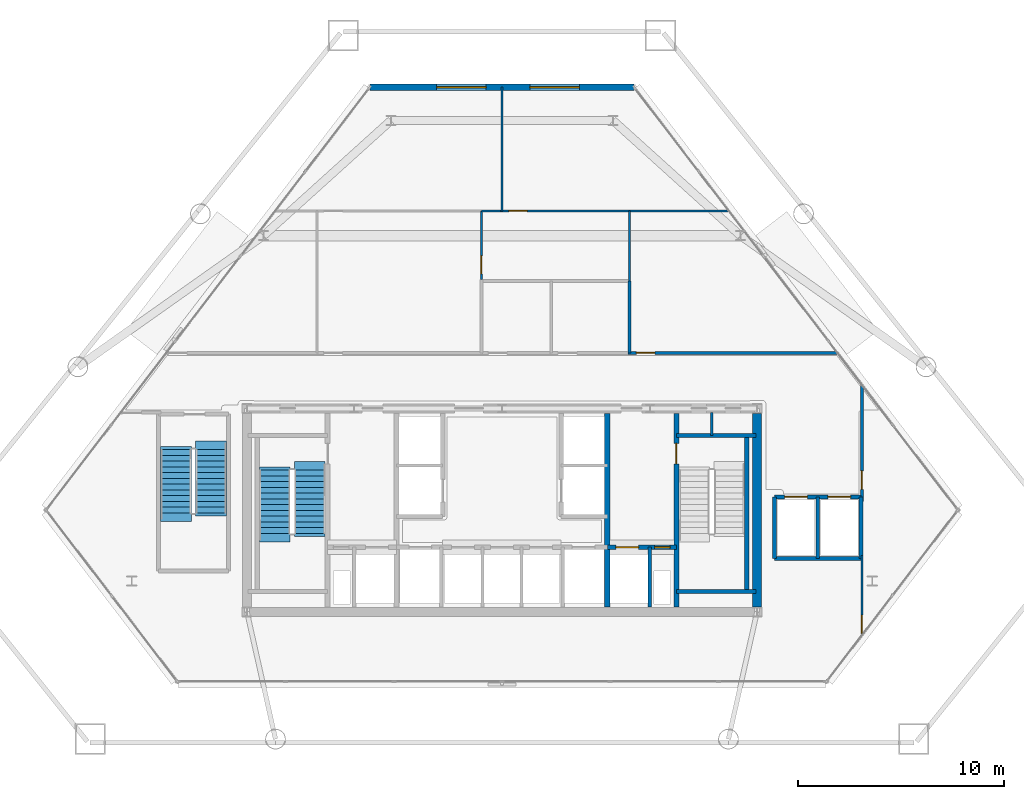
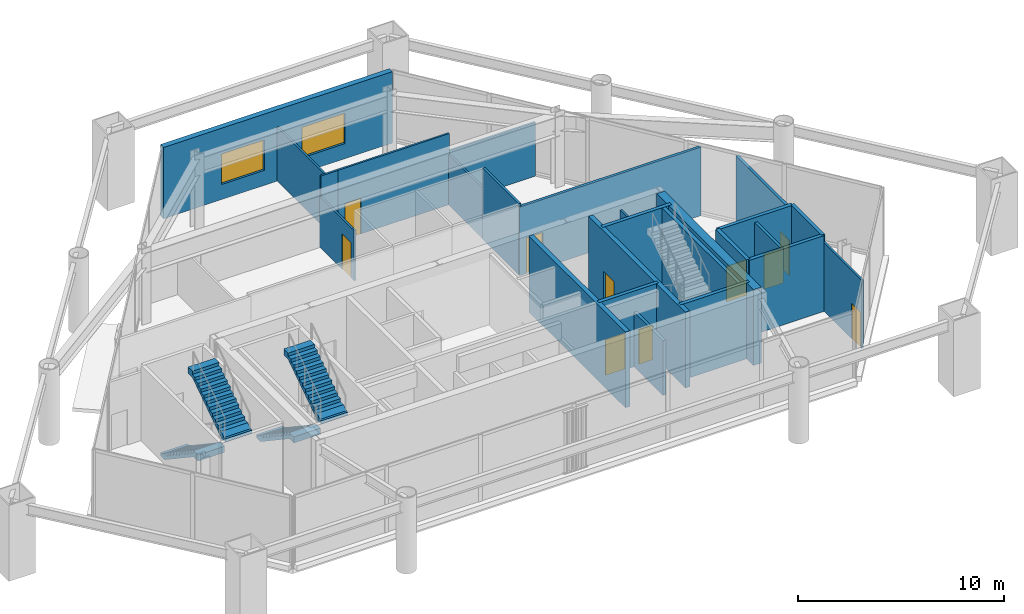
# One storey, part 8 of 11: 25 walls, 10 doors, 4 stair flights, 2 windows, 12 openings, 2 elements without a shape of their own.
"""IFC4 building model written with IfcOpenShell, lengths in metres."""

import ifcopenshell
import ifcopenshell.guid

model = None  # the IFC model being written
_history = None  # IfcOwnerHistory: only IFC2X3 demands one
_inside = {}  # id of a spatial element -> (the spatial element, [elements in it])
_under = {}  # id of a project, library or spatial element -> (it, [spatial elements below it])
_declared = {}  # id of a project -> (the project, [libraries it declares])
_typed = {}  # id of a type object -> (the type object, [elements of that type])
_made_of = {}  # id of a material, layer set ... -> (it, [elements and type objects made of it])


def new_model(schema):
    """Start an empty IFC model of exactly this schema.

    Asked for "IFC4X3", IfcOpenShell would pick the latest addendum, in which some entities
    have other attributes; the version numbers below select the first issue.
    IFC2X3 requires an IfcOwnerHistory on every rooted entity: one is made here for all.
    """
    global model, _history
    if schema == "IFC4X3":
        model = ifcopenshell.file(schema_version=(4, 3, 0, 0))
    else:
        model = ifcopenshell.file(schema=schema)
    _inside.clear()
    _under.clear()
    _declared.clear()
    _typed.clear()
    _made_of.clear()
    _history = None
    if model.schema == "IFC2X3":
        org = make("IfcOrganization", Name="unknown")
        user = make(
            "IfcPersonAndOrganization",
            ThePerson=make("IfcPerson", FamilyName="unknown"),
            TheOrganization=org,
        )
        app = make(
            "IfcApplication",
            ApplicationDeveloper=org,
            Version="unknown",
            ApplicationFullName="unknown",
            ApplicationIdentifier="unknown",
        )
        _history = make(
            "IfcOwnerHistory",
            OwningUser=user,
            OwningApplication=app,
            ChangeAction="ADDED",
            CreationDate=0,
        )
    return model


def make(cls, **values):
    """One entity of the class cls with the attributes given. An attribute that is None is left unset."""
    return model.create_entity(
        cls, **{name: value for name, value in values.items() if value is not None}
    )


def rooted(cls, **values):
    """An entity with a GlobalId (a new one), such as an element, a storey or a relation."""
    return make(cls, GlobalId=ifcopenshell.guid.new(), OwnerHistory=_history, **values)


def si_unit(unit_type, name, prefix=None):
    """IfcSIUnit, for example si_unit("LENGTHUNIT", "METRE", prefix="MILLI")."""
    return make("IfcSIUnit", UnitType=unit_type, Prefix=prefix, Name=name)


def assignment(units):
    """IfcUnitAssignment: the units of a project."""
    return None if units is None else make("IfcUnitAssignment", Units=units)


def point(xyz):
    """IfcCartesianPoint."""
    return None if xyz is None else make("IfcCartesianPoint", Coordinates=xyz)


def direction(xyz):
    """IfcDirection."""
    return None if xyz is None else make("IfcDirection", DirectionRatios=xyz)


def frame(location, z_axis=None, x_axis=None):
    """IfcAxis2Placement3D, a coordinate frame: its origin and axes. An axis left out is left unset."""
    return make(
        "IfcAxis2Placement3D",
        Location=point(location),
        Axis=direction(z_axis),
        RefDirection=direction(x_axis),
    )


def frame_2d(location, x_axis=None):
    """IfcAxis2Placement2D, a coordinate frame in the plane: its origin and x axis."""
    return make(
        "IfcAxis2Placement2D", Location=point(location), RefDirection=direction(x_axis)
    )


def origin():
    """The frame at (0, 0, 0) with its axes left unset."""
    return frame((0.0, 0.0, 0.0))


def place(relative_to, where):
    """IfcLocalPlacement: puts the frame where relative to a parent placement (None: the world)."""
    return make(
        "IfcLocalPlacement", PlacementRelTo=relative_to, RelativePlacement=where
    )


def context(
    kind, dimensions, precision=None, world=None, true_north=None, identifier=None
):
    """IfcGeometricRepresentationContext, for example the 3D "Model" context."""
    return make(
        "IfcGeometricRepresentationContext",
        ContextIdentifier=identifier,
        ContextType=kind,
        CoordinateSpaceDimension=dimensions,
        Precision=precision,
        WorldCoordinateSystem=world,
        TrueNorth=true_north,
    )


def subcontext(parent, identifier, kind, view, scale=None):
    """IfcGeometricRepresentationSubContext, for example "Body" below "Model"."""
    return make(
        "IfcGeometricRepresentationSubContext",
        ContextIdentifier=identifier,
        ContextType=kind,
        ParentContext=parent,
        TargetScale=scale,
        TargetView=view,
    )


def project(units=None, contexts=None):
    """IfcProject with its units and contexts."""
    return rooted(
        "IfcProject",
        Name="project",
        RepresentationContexts=contexts,
        UnitsInContext=assignment(units),
    )


def spatial(cls, under=None, at=None, **own):
    """A site, building, storey or space (cls), placed at a placement, below another one or the project."""
    s = rooted(cls, ObjectPlacement=at, **own)
    if under is not None:
        _under.setdefault(under.id(), (under, []))[1].append(s)
    return s


def polyline(points):
    """IfcPolyline through the points."""
    return make("IfcPolyline", Points=[point(p) for p in points])


def profile(cls, at=None, kind="AREA", **sizes):
    """A parametric profile (cls). Its sizes go by their IFC names, for example OverallWidth=200.0."""
    return make(cls, ProfileType=kind, Position=at, **sizes)


def rectangle(**sizes):
    """IfcRectangleProfileDef."""
    return profile("IfcRectangleProfileDef", **sizes)


def outline(outer, holes=None, kind="AREA"):
    """IfcArbitraryClosedProfileDef: a profile drawn as a closed curve; with holes, ...WithVoids."""
    if holes is None:
        return make("IfcArbitraryClosedProfileDef", ProfileType=kind, OuterCurve=outer)
    return make(
        "IfcArbitraryProfileDefWithVoids",
        ProfileType=kind,
        OuterCurve=outer,
        InnerCurves=holes,
    )


def extrude(swept, where, along, depth):
    """IfcExtrudedAreaSolid: the profile swept, set in the frame where, extruded along a direction by depth."""
    return make(
        "IfcExtrudedAreaSolid",
        SweptArea=swept,
        Position=where,
        ExtrudedDirection=direction(along),
        Depth=depth,
    )


def shape(context_of_items, identifier, shape_type, items):
    """IfcShapeRepresentation: the items that make up one representation, for example the "Body"."""
    return make(
        "IfcShapeRepresentation",
        ContextOfItems=context_of_items,
        RepresentationIdentifier=identifier,
        RepresentationType=shape_type,
        Items=items,
    )


def material(Name=None, Category=None):
    """IfcMaterial."""
    return make("IfcMaterial", Name=Name, Category=Category)


def layer(
    of_material, thickness, ventilated=None, Name=None, Category=None, Priority=None
):
    """IfcMaterialLayer: one layer of a wall or slab, of a material (None: an air gap)."""
    return make(
        "IfcMaterialLayer",
        Material=of_material,
        LayerThickness=thickness,
        IsVentilated=ventilated,
        Name=Name,
        Category=Category,
        Priority=Priority,
    )


def layer_set(layers, Name=None):
    """IfcMaterialLayerSet."""
    return make("IfcMaterialLayerSet", MaterialLayers=layers, LayerSetName=Name)


def made_of(thing, what):
    """Note that an element or type object is made of a material, layer set ...; save() writes the relation."""
    if what is not None:
        _made_of.setdefault(what.id(), (what, []))[1].append(thing)
    return thing


def type_object(cls, material=None, **own):
    """A type object (cls), such as IfcWallType, which elements share."""
    return made_of(rooted(cls, **own), material)


def element(
    cls,
    number,
    at=None,
    inside=None,
    cuts=None,
    type_object=None,
    material=None,
    context=None,
    identifier="Body",
    shape_type=None,
    held_by="IfcProductDefinitionShape",
    body=None,
    shapes=None,
    **own,
):
    """One element of the class cls, such as IfcWall. Its Tag is "e" and its number.

    at: its placement. inside: the storey or other place that contains it. cuts: it is an
    opening in that element (IfcRelVoidsElement). A single representation is given by context,
    identifier, shape_type and body (its items); several are given by shapes. held_by: the class
    of the entity that holds the representations. save() writes the other relations.
    """
    e = rooted(cls, Tag="e%d" % number, ObjectPlacement=at, **own)
    if body is not None:
        shapes = [shape(context, identifier, shape_type, body)]
    if shapes is not None:
        e.Representation = make(held_by, Representations=shapes)
    if inside is not None:
        _inside.setdefault(inside.id(), (inside, []))[1].append(e)
    if cuts is not None:
        rooted(
            "IfcRelVoidsElement", RelatingBuildingElement=cuts, RelatedOpeningElement=e
        )
    if type_object is not None:
        _typed.setdefault(type_object.id(), (type_object, []))[1].append(e)
    return made_of(e, material)


def fill(opening, filler):
    """IfcRelFillsElement: the door or window that sits in an opening."""
    return rooted(
        "IfcRelFillsElement",
        RelatingOpeningElement=opening,
        RelatedBuildingElement=filler,
    )


def aggregate(whole, parts):
    """IfcRelAggregates: a whole, such as a stair, and the parts it consists of."""
    return rooted("IfcRelAggregates", RelatingObject=whole, RelatedObjects=parts)


def save(model, path):
    """Write the relations noted so far, then the file.

    IfcRelAggregates (storeys below a building ...), IfcRelContainedInSpatialStructure (elements
    in a storey), IfcRelDefinesByType, IfcRelAssociatesMaterial and IfcRelDeclares: one each for
    every whole, place, type object, material and project.
    """
    for whole, parts in _under.values():
        aggregate(whole, parts)
    for where, things in _inside.values():
        rooted(
            "IfcRelContainedInSpatialStructure",
            RelatedElements=things,
            RelatingStructure=where,
        )
    for kind, things in _typed.values():
        rooted("IfcRelDefinesByType", RelatedObjects=things, RelatingType=kind)
    for what, things in _made_of.values():
        rooted("IfcRelAssociatesMaterial", RelatedObjects=things, RelatingMaterial=what)
    for by, libraries in _declared.values():
        rooted("IfcRelDeclares", RelatingContext=by, RelatedDefinitions=libraries)
    model.write(path)


model = new_model("IFC4")

# Units and contexts
model_context = context("Model", 3, precision=1e-05, world=origin(), true_north=direction((0.0, 1.0)))
body_context = subcontext(model_context, "Body", "Model", "MODEL_VIEW")
ifc_project = project(units=[si_unit("LENGTHUNIT", "METRE"), si_unit("AREAUNIT", "SQUARE_METRE"), si_unit("VOLUMEUNIT", "CUBIC_METRE"), si_unit("PLANEANGLEUNIT", "RADIAN"), si_unit("MASSUNIT", "GRAM", prefix="KILO")], contexts=[model_context])

# Site, building, storey
site_placement = place(None, origin())
site = spatial("IfcSite", under=ifc_project, at=site_placement, CompositionType="ELEMENT")
building_placement = place(site_placement, origin())
building = spatial("IfcBuilding", under=site, at=building_placement, Name="Talgorran Terracotta Tower", CompositionType="ELEMENT")
storey_placement = place(building_placement, frame((0.0, 0.0, 5.39990234375)))
storey = spatial("IfcBuildingStorey", under=building, at=storey_placement, Name="L01", CompositionType="ELEMENT", Elevation=5.39990234375)

# Walls
ifc_material_1 = material(Name="Concrete C50/60", Category="concrete")
ifc_layer_1 = layer(ifc_material_1, 0.199951171875, Name="WT_CORE_200")
ifc_layer_set_1 = layer_set([ifc_layer_1], Name="Concrete C50/60")
wall_type_1 = type_object("IfcWallType", Name="WT_CORE_200", PredefinedType="SOLIDWALL", material=ifc_layer_set_1)
for number, where, z_axis, x_axis, name in (
    (1, (8.47998046875, -5.52001953125, 0.0), (0.0, 0.0, 1.0), (1.0, 0.0, 0.0), "WL-L01-CW-ST2-N"),
    (2, (8.47998046875, -13.10009765625, 0.0), (0.0, 0.0, 1.0), (1.0, 0.0, 0.0), "WL-L01-CW-ST2-S"),
):
    element("IfcWall", number, at=place(storey_placement, frame(where, z_axis=z_axis, x_axis=x_axis)), inside=storey, type_object=wall_type_1, Name=name, PredefinedType="SOLIDWALL", context=body_context, shape_type="SweptSolid", body=[
        extrude(rectangle(XDim=3.8701171875, YDim=0.199951171875, at=frame_2d((1.93505859375, 0.0))), origin(), (0.0, 0.0, 1.0), 4.5),
    ])
wall_1_placement = place(storey_placement, frame((11.89990234375, -13.10009765625, 0.0), z_axis=(0.0, 0.0, 1.0), x_axis=(0.0, 1.0, 0.0)))
element("IfcWall", 3, at=wall_1_placement, inside=storey, type_object=wall_type_1, Name="WL-L01-CW-ST2-E", PredefinedType="SOLIDWALL", context=body_context, shape_type="SweptSolid", body=[
    extrude(rectangle(XDim=7.580078125, YDim=0.199951171875, at=frame_2d((3.7900390625, 0.0))), origin(), (0.0, 0.0, 1.0), 4.5),
])

# Wall, openings, doors
wall_2_placement = place(storey_placement, frame((5.1201171875, -10.949951171875, 0.0), z_axis=(0.0, 0.0, 1.0), x_axis=(1.0, 0.0, 0.0)))
wall_2 = element("IfcWall", 4, at=wall_2_placement, inside=storey, type_object=wall_type_1, Name="WL-L01-CW-H-SBE", PredefinedType="SOLIDWALL", context=body_context, shape_type="SweptSolid", body=[
    extrude(rectangle(XDim=3.35986328125, YDim=0.199951171875, at=frame_2d((1.679931640625, 0.0))), origin(), (0.0, 0.0, 1.0), 4.5),
])
opening_1_placement = place(wall_2_placement, frame((0.419921875, 0.0, 0.0)))
opening_1 = element("IfcOpeningElement", 5, at=opening_1_placement, cuts=wall_2, Name="Opening LD-FFL2", PredefinedType="OPENING", context=body_context, shape_type="SweptSolid", body=[
    extrude(rectangle(XDim=1.10609765625, YDim=2.10409765625, at=frame_2d((0.550048828125, 1.052001953125))), frame((0.0, 0.10986328125, 0.0), z_axis=(0.0, -1.0, 0.0), x_axis=(1.0, 0.0, 0.0)), (0.0, 0.0, 1.0), 0.219970703125),
])
opening_2_placement = place(wall_2_placement, frame((2.300048828125, 0.0, 0.0)))
opening_2 = element("IfcOpeningElement", 6, at=opening_2_placement, cuts=wall_2, Name="Opening DR-RSE", PredefinedType="OPENING", context=body_context, shape_type="SweptSolid", body=[
    extrude(rectangle(XDim=0.756, YDim=2.054048828125, at=frame_2d((0.375, 1.027099609375))), frame((0.0, 0.10986328125, 0.0), z_axis=(0.0, -1.0, 0.0), x_axis=(1.0, 0.0, 0.0)), (0.0, 0.0, 1.0), 0.219970703125),
])
ifc_material_2 = material(Name="Brushed Stainless Steel Grade 304", Category="steel")
door_type_1 = type_object("IfcDoorType", Name="DT_LIFT_LD1100", OperationType="DOUBLE_DOOR_SLIDING", PredefinedType="DOOR", material=ifc_material_2)
door_1_placement = place(opening_1_placement, origin())
door_1 = element("IfcDoor", 7, at=door_1_placement, inside=storey, type_object=door_type_1, Name="L01 Lift Landing Door LD-FFL2", OperationType="DOUBLE_DOOR_SLIDING", OverallHeight=2.10009765625, OverallWidth=1.10009765625, PredefinedType="DOOR", context=body_context, shape_type="SweptSolid", body=[
    extrude(rectangle(XDim=1.10009765625, YDim=2.10009765625, at=frame_2d((0.550048828125, 1.050048828125))), frame((0.0, 0.02490234375, 0.0), z_axis=(0.0, -1.0, 0.0), x_axis=(1.0, 0.0, 0.0)), (0.0, 0.0, 1.0), 0.050048828125),
])
fill(opening_1, door_1)
ifc_material_3 = material(Name="Fire-Rated Pressed Steel", Category="steel")
door_type_2 = type_object("IfcDoorType", Name="DT_RISER_750", OperationType="NOTDEFINED", PredefinedType="DOOR", material=ifc_material_3)
door_2_placement = place(opening_2_placement, origin())
door_2 = element("IfcDoor", 8, at=door_2_placement, inside=storey, type_object=door_type_2, Name="DR-RSE", OperationType="SINGLE_SWING_RIGHT", OverallHeight=2.050048828125, OverallWidth=0.75, PredefinedType="DOOR", context=body_context, shape_type="SweptSolid", body=[
    extrude(rectangle(XDim=0.75, YDim=2.050048828125, at=frame_2d((0.375, 1.02490234375))), frame((0.0, 0.02490234375, 0.0), z_axis=(0.0, -1.0, 0.0), x_axis=(1.0, 0.0, 0.0)), (0.0, 0.0, 1.0), 0.050048828125),
])
fill(opening_2, door_2)

# Wall
wall_3_placement = place(storey_placement, frame((13.25, -11.5, 0.0), z_axis=(0.0, 0.0, 1.0), x_axis=(1.0, 0.0, 0.0)))
element("IfcWall", 9, at=wall_3_placement, inside=storey, type_object=wall_type_1, Name="WL-L01-PW-HL-S", PredefinedType="SOLIDWALL", context=body_context, shape_type="SweptSolid", body=[
    extrude(rectangle(XDim=4.199951171875, YDim=0.199951171875, at=frame_2d((2.10009765625, 0.0))), origin(), (0.0, 0.0, 1.0), 4.5),
])

# Wall, openings, doors
wall_4_placement = place(storey_placement, frame((13.25, -8.5, 0.0), z_axis=(0.0, 0.0, 1.0), x_axis=(1.0, 0.0, 0.0)))
wall_4 = element("IfcWall", 10, at=wall_4_placement, inside=storey, type_object=wall_type_1, Name="WL-L01-PW-HL-N", PredefinedType="SOLIDWALL", context=body_context, shape_type="SweptSolid", body=[
    extrude(rectangle(XDim=4.199951171875, YDim=0.199951171875, at=frame_2d((2.10009765625, 0.0))), origin(), (0.0, 0.0, 1.0), 4.5),
])
opening_3_placement = place(wall_4_placement, frame((0.5, 0.0, 0.0)))
opening_3 = element("IfcOpeningElement", 11, at=opening_3_placement, cuts=wall_4, Name="Opening LD-HL1", PredefinedType="OPENING", context=body_context, shape_type="SweptSolid", body=[
    extrude(rectangle(XDim=1.10609765625, YDim=2.10409765625, at=frame_2d((0.550048828125, 1.052001953125))), frame((0.0, 0.10986328125, 0.0), z_axis=(0.0, -1.0, 0.0), x_axis=(1.0, 0.0, 0.0)), (0.0, 0.0, 1.0), 0.219970703125),
])
opening_4_placement = place(wall_4_placement, frame((2.60009765625, 0.0, 0.0)))
opening_4 = element("IfcOpeningElement", 12, at=opening_4_placement, cuts=wall_4, Name="Opening LD-HL2", PredefinedType="OPENING", context=body_context, shape_type="SweptSolid", body=[
    extrude(rectangle(XDim=1.10609765625, YDim=2.10409765625, at=frame_2d((0.550048828125, 1.052001953125))), frame((0.0, 0.10986328125, 0.0), z_axis=(0.0, -1.0, 0.0), x_axis=(1.0, 0.0, 0.0)), (0.0, 0.0, 1.0), 0.219970703125),
])
door_3_placement = place(opening_3_placement, origin())
door_3 = element("IfcDoor", 13, at=door_3_placement, inside=storey, type_object=door_type_1, Name="L01 Lift Landing Door LD-HL1", OperationType="DOUBLE_DOOR_SLIDING", OverallHeight=2.10009765625, OverallWidth=1.10009765625, PredefinedType="DOOR", context=body_context, shape_type="SweptSolid", body=[
    extrude(rectangle(XDim=1.10009765625, YDim=2.10009765625, at=frame_2d((0.550048828125, 1.050048828125))), frame((0.0, 0.02490234375, 0.0), z_axis=(0.0, -1.0, 0.0), x_axis=(1.0, 0.0, 0.0)), (0.0, 0.0, 1.0), 0.050048828125),
])
fill(opening_3, door_3)
door_4_placement = place(opening_4_placement, origin())
door_4 = element("IfcDoor", 14, at=door_4_placement, inside=storey, type_object=door_type_1, Name="L01 Lift Landing Door LD-HL2", OperationType="DOUBLE_DOOR_SLIDING", OverallHeight=2.10009765625, OverallWidth=1.10009765625, PredefinedType="DOOR", context=body_context, shape_type="SweptSolid", body=[
    extrude(rectangle(XDim=1.10009765625, YDim=2.10009765625, at=frame_2d((0.550048828125, 1.050048828125))), frame((0.0, 0.02490234375, 0.0), z_axis=(0.0, -1.0, 0.0), x_axis=(1.0, 0.0, 0.0)), (0.0, 0.0, 1.0), 0.050048828125),
])
fill(opening_4, door_4)

# Walls
for number, where, z_axis, x_axis, name in (
    (15, (13.25, -11.5, 0.0), (0.0, 0.0, 1.0), (0.0, 1.0, 0.0), "WL-L01-PW-HL-W"),
    (16, (17.449951171875, -11.5, 0.0), (0.0, 0.0, 1.0), (0.0, 1.0, 0.0), "WL-L01-PW-HL-E"),
):
    element("IfcWall", number, at=place(storey_placement, frame(where, z_axis=z_axis, x_axis=x_axis)), inside=storey, type_object=wall_type_1, Name=name, PredefinedType="SOLIDWALL", context=body_context, shape_type="SweptSolid", body=[
        extrude(rectangle(XDim=3.0, YDim=0.199951171875, at=frame_2d((1.5, 0.0))), origin(), (0.0, 0.0, 1.0), 4.5),
    ])

# Wall, opening, door
ifc_layer_2 = layer(ifc_material_1, 0.25, Name="WT_CORE_250")
ifc_layer_set_2 = layer_set([ifc_layer_2], Name="Concrete C50/60")
wall_type_2 = type_object("IfcWallType", Name="WT_CORE_250", PredefinedType="SHEAR", material=ifc_layer_set_2)
wall_5_placement = place(storey_placement, frame((8.47998046875, -13.85009765625, 0.0), z_axis=(0.0, 0.0, 1.0), x_axis=(0.0, 1.0, 0.0)))
wall_5 = element("IfcWall", 17, at=wall_5_placement, inside=storey, type_object=wall_type_2, Name="WL-L01-CW-V-E1", PredefinedType="SHEAR", context=body_context, shape_type="SweptSolid", body=[
    extrude(rectangle(XDim=9.400146484375, YDim=0.25, at=frame_2d((4.7001953125, 0.0))), origin(), (0.0, 0.0, 1.0), 4.5),
])
opening_5_placement = place(wall_5_placement, frame((6.949951171875, 0.0, 0.0)))
opening_5 = element("IfcOpeningElement", 18, at=opening_5_placement, cuts=wall_5, Name="Opening DR-ST02", PredefinedType="OPENING", context=body_context, shape_type="SweptSolid", body=[
    extrude(rectangle(XDim=1.006, YDim=2.10409765625, at=frame_2d((0.5, 1.052001953125))), frame((0.0, 0.135009765625, 0.0), z_axis=(0.0, -1.0, 0.0), x_axis=(1.0, 0.0, 0.0)), (0.0, 0.0, 1.0), 0.27001953125),
])
door_type_3 = type_object("IfcDoorType", Name="DT_FIRE_1000", OperationType="NOTDEFINED", PredefinedType="DOOR", material=ifc_material_3)
door_5_placement = place(opening_5_placement, origin())
door_5 = element("IfcDoor", 19, at=door_5_placement, inside=storey, type_object=door_type_3, Name="DR-ST02", OperationType="SINGLE_SWING_RIGHT", OverallHeight=2.10009765625, OverallWidth=1.0, PredefinedType="DOOR", context=body_context, shape_type="SweptSolid", body=[
    extrude(rectangle(XDim=1.0, YDim=2.10009765625, at=frame_2d((0.5, 1.050048828125))), frame((0.0, 0.02490234375, 0.0), z_axis=(0.0, -1.0, 0.0), x_axis=(1.0, 0.0, 0.0)), (0.0, 0.0, 1.0), 0.050048828125),
])
fill(opening_5, door_5)

# Walls
wall_6_placement = place(storey_placement, frame((5.1201171875, -13.85009765625, 0.0), z_axis=(0.0, 0.0, 1.0), x_axis=(0.0, 1.0, 0.0)))
element("IfcWall", 20, at=wall_6_placement, inside=storey, type_object=wall_type_2, Name="WL-L01-CW-V-E2", PredefinedType="SHEAR", context=body_context, shape_type="SweptSolid", body=[
    extrude(rectangle(XDim=9.400146484375, YDim=0.25, at=frame_2d((4.7001953125, 0.0))), origin(), (0.0, 0.0, 1.0), 4.5),
])
ifc_material_4 = material(Name="Concrete C65/80", Category="concrete")
ifc_layer_3 = layer(ifc_material_4, 0.449951171875, Name="WT_CORE_EXT")
ifc_layer_set_3 = layer_set([ifc_layer_3], Name="Concrete C65/80")
wall_type_3 = type_object("IfcWallType", Name="WT_CORE_EXT", PredefinedType="SHEAR", material=ifc_layer_set_3)
wall_7_placement = place(storey_placement, frame((12.39990234375, -13.85009765625, 0.0), z_axis=(0.0, 0.0, 1.0), x_axis=(0.0, 1.0, 0.0)))
element("IfcWall", 21, at=wall_7_placement, inside=storey, type_object=wall_type_3, Name="WL-L01-CW-OUT-E", PredefinedType="SHEAR", context=body_context, shape_type="SweptSolid", body=[
    extrude(rectangle(XDim=9.400146484375, YDim=0.449951171875, at=frame_2d((4.7001953125, 0.0))), origin(), (0.0, 0.0, 1.0), 4.5),
])

# Wall, opening, door
ifc_material_5 = material(Name="Fire-Rated Steel Stud Plasterboard", Category="steel")
ifc_layer_4 = layer(ifc_material_5, 0.14990234375, Name="WT_FIRE_150")
ifc_layer_set_4 = layer_set([ifc_layer_4], Name="Fire-Rated Steel Stud Plasterboard")
wall_type_4 = type_object("IfcWallType", Name="WT_FIRE_150", PredefinedType="PARTITIONING", material=ifc_layer_set_4)
wall_8_placement = place(storey_placement, frame((6.139892578125, -1.5, 0.0), z_axis=(0.0, 0.0, 1.0), x_axis=(1.0, 0.0, 0.0)))
wall_8 = element("IfcWall", 22, at=wall_8_placement, inside=storey, type_object=wall_type_4, Name="WL-L01-W-L01-R07", PredefinedType="PARTITIONING", context=body_context, shape_type="SweptSolid", body=[
    extrude(rectangle(XDim=10.177001953125, YDim=0.14990234375, at=frame_2d((5.08837890625, 0.0))), origin(), (0.0, 0.0, 1.0), 4.067626953125),
])
opening_6_placement = place(wall_8_placement, frame((0.3994140625, 0.0, 0.0)))
opening_6 = element("IfcOpeningElement", 23, at=opening_6_placement, cuts=wall_8, Name="Opening DR-L01-R09", PredefinedType="OPENING", context=body_context, shape_type="SweptSolid", body=[
    extrude(rectangle(XDim=0.90590234375, YDim=2.10409765625, at=frame_2d((0.449951171875, 1.052001953125))), frame((0.0, 0.0849609375, 0.0), z_axis=(0.0, -1.0, 0.0), x_axis=(1.0, 0.0, 0.0)), (0.0, 0.0, 1.0), 0.169921875),
])
ifc_material_6 = material(Name="Fire-Rated Timber Core", Category="wood")
door_type_4 = type_object("IfcDoorType", Name="DT_FIRE_900", OperationType="NOTDEFINED", PredefinedType="DOOR", material=ifc_material_6)
door_6_placement = place(opening_6_placement, origin())
door_6 = element("IfcDoor", 24, at=door_6_placement, inside=storey, type_object=door_type_4, Name="DR-L01-R09", OperationType="SINGLE_SWING_LEFT", OverallHeight=2.10009765625, OverallWidth=0.89990234375, PredefinedType="DOOR", context=body_context, shape_type="SweptSolid", body=[
    extrude(rectangle(XDim=0.89990234375, YDim=2.10009765625, at=frame_2d((0.449951171875, 1.050048828125))), frame((0.0, 0.02490234375, 0.0), z_axis=(0.0, -1.0, 0.0), x_axis=(1.0, 0.0, 0.0)), (0.0, 0.0, 1.0), 0.050048828125),
])
fill(opening_6, door_6)

wall_9_placement = place(storey_placement, frame((17.5, -8.719970703125, 0.0), z_axis=(0.0, 0.0, 1.0), x_axis=(0.0, 1.0, 0.0)))
wall_9 = element("IfcWall", 25, at=wall_9_placement, inside=storey, type_object=wall_type_4, Name="WL-L01-W-L01-R02", PredefinedType="PARTITIONING", context=body_context, shape_type="SweptSolid", body=[
    extrude(rectangle(XDim=5.67529296875, YDim=0.14990234375, at=frame_2d((2.837646484375, 0.0))), origin(), (0.0, 0.0, 1.0), 4.067626953125),
])
opening_7_placement = place(wall_9_placement, frame((0.580078125, 0.0, 0.0)))
opening_7 = element("IfcOpeningElement", 26, at=opening_7_placement, cuts=wall_9, Name="Opening DR-L01-R02", PredefinedType="OPENING", context=body_context, shape_type="SweptSolid", body=[
    extrude(rectangle(XDim=0.90590234375, YDim=2.10409765625, at=frame_2d((0.449951171875, 1.052001953125))), frame((0.0, 0.0849609375, 0.0), z_axis=(0.0, -1.0, 0.0), x_axis=(1.0, 0.0, 0.0)), (0.0, 0.0, 1.0), 0.169921875),
])
door_7_placement = place(opening_7_placement, origin())
door_7 = element("IfcDoor", 27, at=door_7_placement, inside=storey, type_object=door_type_4, Name="DR-L01-R02", OperationType="SINGLE_SWING_RIGHT", OverallHeight=2.10009765625, OverallWidth=0.89990234375, PredefinedType="DOOR", context=body_context, shape_type="SweptSolid", body=[
    extrude(rectangle(XDim=0.89990234375, YDim=2.10009765625, at=frame_2d((0.449951171875, 1.050048828125))), frame((0.0, 0.02490234375, 0.0), z_axis=(0.0, -1.0, 0.0), x_axis=(1.0, 0.0, 0.0)), (0.0, 0.0, 1.0), 0.050048828125),
])
fill(opening_7, door_7)

ifc_material_7 = material(Name="Lightweight Steel Stud Partition", Category="steel")
ifc_layer_5 = layer(ifc_material_7, 0.10498046875, Name="WT_PART_110")
ifc_layer_set_5 = layer_set([ifc_layer_5], Name="Lightweight Steel Stud Partition")
wall_type_5 = type_object("IfcWallType", Name="WT_PART_110", PredefinedType="PARTITIONING", material=ifc_layer_set_5)
wall_10_placement = place(storey_placement, frame((-0.06005859375, 5.39990234375, 0.0), z_axis=(0.0, 0.0, 1.0), x_axis=(1.0, 0.0, 0.0)))
wall_10 = element("IfcWall", 28, at=wall_10_placement, inside=storey, type_object=wall_type_5, Name="WL-L01-W-L01-R20", PredefinedType="PARTITIONING", context=body_context, shape_type="SweptSolid", body=[
    extrude(rectangle(XDim=6.260009765625, YDim=0.10498046875, at=frame_2d((3.1298828125, 0.0))), origin(), (0.0, 0.0, 1.0), 4.22021484375),
])
opening_8_placement = place(wall_10_placement, frame((0.39892578125, 0.0, 0.0)))
opening_8 = element("IfcOpeningElement", 29, at=opening_8_placement, cuts=wall_10, Name="Opening DR-L01-R11", PredefinedType="OPENING", context=body_context, shape_type="SweptSolid", body=[
    extrude(rectangle(XDim=0.8858828125, YDim=2.10409765625, at=frame_2d((0.43994140625, 1.052001953125))), frame((0.0, 0.0625, 0.0), z_axis=(0.0, -1.0, 0.0), x_axis=(1.0, 0.0, 0.0)), (0.0, 0.0, 1.0), 0.125),
])
ifc_material_8 = material(Name="Solid-Core Painted Timber", Category="wood")
door_type_5 = type_object("IfcDoorType", Name="DT_INT_880", OperationType="NOTDEFINED", PredefinedType="DOOR", material=ifc_material_8)
door_8_placement = place(opening_8_placement, origin())
door_8 = element("IfcDoor", 30, at=door_8_placement, inside=storey, type_object=door_type_5, Name="DR-L01-R11", OperationType="SINGLE_SWING_LEFT", OverallHeight=2.10009765625, OverallWidth=0.8798828125, PredefinedType="DOOR", context=body_context, shape_type="SweptSolid", body=[
    extrude(rectangle(XDim=0.8798828125, YDim=2.10009765625, at=frame_2d((0.43994140625, 1.050048828125))), frame((0.0, 0.02490234375, 0.0), z_axis=(0.0, -1.0, 0.0), x_axis=(1.0, 0.0, 0.0)), (0.0, 0.0, 1.0), 0.050048828125),
])
fill(opening_8, door_8)

# Walls
wall_11_placement = place(storey_placement, frame((0.0, 5.39990234375, 0.0), z_axis=(0.0, 0.0, 1.0), x_axis=(0.0, 1.0, 0.0)))
element("IfcWall", 31, at=wall_11_placement, inside=storey, type_object=wall_type_5, Name="WL-L01-W-L01-R22", PredefinedType="PARTITIONING", context=body_context, shape_type="SweptSolid", body=[
    extrude(rectangle(XDim=6.02001953125, YDim=0.10498046875, at=frame_2d((3.010009765625, 0.0))), origin(), (0.0, 0.0, 1.0), 3.195068359375),
])
wall_12_placement = place(storey_placement, frame((6.199951171875, 5.39990234375, 0.0), z_axis=(0.0, 0.0, 1.0), x_axis=(1.0, 0.0, 0.0)))
element("IfcWall", 32, at=wall_12_placement, inside=storey, type_object=wall_type_5, Name="WL-L01-W-L01-R21", PredefinedType="PARTITIONING", context=body_context, shape_type="SweptSolid", body=[
    extrude(rectangle(XDim=4.831787109375, YDim=0.10498046875, at=frame_2d((2.416015625, 0.0))), origin(), (0.0, 0.0, 1.0), 3.195068359375),
])

# Wall, opening, door
wall_13_placement = place(storey_placement, frame((17.5, -15.235595703125, 0.0), z_axis=(0.0, 0.0, 1.0), x_axis=(0.0, 1.0, 0.0)))
wall_13 = element("IfcWall", 33, at=wall_13_placement, inside=storey, type_object=wall_type_5, Name="WL-L01-W-L01-R08", PredefinedType="PARTITIONING", context=body_context, shape_type="SweptSolid", body=[
    extrude(rectangle(XDim=3.8955078125, YDim=0.10498046875, at=frame_2d((1.94775390625, 0.0))), origin(), (0.0, 0.0, 1.0), 4.067626953125),
])
opening_9_placement = place(wall_13_placement, frame((0.10009765625, 0.0, 0.0)))
opening_9 = element("IfcOpeningElement", 34, at=opening_9_placement, cuts=wall_13, Name="Opening DR-L01-R03", PredefinedType="OPENING", context=body_context, shape_type="SweptSolid", body=[
    extrude(rectangle(XDim=0.8858828125, YDim=2.10409765625, at=frame_2d((0.43994140625, 1.052001953125))), frame((0.0, 0.0625, 0.0), z_axis=(0.0, -1.0, 0.0), x_axis=(1.0, 0.0, 0.0)), (0.0, 0.0, 1.0), 0.125),
])
door_9_placement = place(opening_9_placement, origin())
door_9 = element("IfcDoor", 35, at=door_9_placement, inside=storey, type_object=door_type_5, Name="DR-L01-R03", OperationType="SINGLE_SWING_LEFT", OverallHeight=2.10009765625, OverallWidth=0.8798828125, PredefinedType="DOOR", context=body_context, shape_type="SweptSolid", body=[
    extrude(rectangle(XDim=0.8798828125, YDim=2.10009765625, at=frame_2d((0.43994140625, 1.050048828125))), frame((0.0, 0.02490234375, 0.0), z_axis=(0.0, -1.0, 0.0), x_axis=(1.0, 0.0, 0.0)), (0.0, 0.0, 1.0), 0.050048828125),
])
fill(opening_9, door_9)

wall_14_placement = place(storey_placement, frame((-1.0, 2.06201171875, 0.0), z_axis=(0.0, 0.0, 1.0), x_axis=(0.0, 1.0, 0.0)))
wall_14 = element("IfcWall", 36, at=wall_14_placement, inside=storey, type_object=wall_type_5, Name="WL-L01-W-L01-R12", PredefinedType="PARTITIONING", context=body_context, shape_type="SweptSolid", body=[
    extrude(rectangle(XDim=3.337890625, YDim=0.10498046875, at=frame_2d((1.6689453125, 0.0))), origin(), (0.0, 0.0, 1.0), 2.9951171875),
])
opening_10_placement = place(wall_14_placement, frame((0.275634765625, 0.0, 0.0)))
opening_10 = element("IfcOpeningElement", 37, at=opening_10_placement, cuts=wall_14, Name="Opening DR-L01-R08", PredefinedType="OPENING", context=body_context, shape_type="SweptSolid", body=[
    extrude(rectangle(XDim=0.8858828125, YDim=2.10409765625, at=frame_2d((0.43994140625, 1.052001953125))), frame((0.0, 0.0625, 0.0), z_axis=(0.0, -1.0, 0.0), x_axis=(1.0, 0.0, 0.0)), (0.0, 0.0, 1.0), 0.125),
])
door_10_placement = place(opening_10_placement, origin())
door_10 = element("IfcDoor", 38, at=door_10_placement, inside=storey, type_object=door_type_5, Name="DR-L01-R08", OperationType="SINGLE_SWING_RIGHT", OverallHeight=2.10009765625, OverallWidth=0.8798828125, PredefinedType="DOOR", context=body_context, shape_type="SweptSolid", body=[
    extrude(rectangle(XDim=0.8798828125, YDim=2.10009765625, at=frame_2d((0.43994140625, 1.050048828125))), frame((0.0, 0.02490234375, 0.0), z_axis=(0.0, -1.0, 0.0), x_axis=(1.0, 0.0, 0.0)), (0.0, 0.0, 1.0), 0.050048828125),
])
fill(opening_10, door_10)

# Walls
wall_15_placement = place(storey_placement, frame((6.199951171875, 2.0, 0.0), z_axis=(0.0, 0.0, 1.0), x_axis=(0.0, 1.0, 0.0)))
element("IfcWall", 39, at=wall_15_placement, inside=storey, type_object=wall_type_5, Name="WL-L01-W-L01-R18", PredefinedType="PARTITIONING", context=body_context, shape_type="SweptSolid", body=[
    extrude(rectangle(XDim=3.39990234375, YDim=0.10498046875, at=frame_2d((1.699951171875, 0.0))), origin(), (0.0, 0.0, 1.0), 2.9951171875),
])
wall_16_placement = place(storey_placement, frame((-1.0, 5.39990234375, 0.0), z_axis=(0.0, 0.0, 1.0), x_axis=(1.0, 0.0, 0.0)))
element("IfcWall", 40, at=wall_16_placement, inside=storey, type_object=wall_type_5, Name="WL-L01-W-L01-R19", PredefinedType="PARTITIONING", context=body_context, shape_type="SweptSolid", body=[
    extrude(rectangle(XDim=0.93798828125, YDim=0.10498046875, at=frame_2d((0.468994140625, 0.0))), origin(), (0.0, 0.0, 1.0), 4.22021484375),
])
ifc_material_9 = material(Name="Insulated Steel Stud Plasterboard", Category="steel")
ifc_layer_6 = layer(ifc_material_9, 0.1201171875, Name="WT_PART_120")
ifc_layer_set_6 = layer_set([ifc_layer_6], Name="Insulated Steel Stud Plasterboard")
wall_type_6 = type_object("IfcWallType", Name="WT_PART_120", PredefinedType="PARTITIONING", material=ifc_layer_set_6)
wall_17_placement = place(storey_placement, frame((10.199951171875, -5.52001953125, 0.0), z_axis=(0.0, 0.0, 1.0), x_axis=(0.0, 1.0, 0.0)))
element("IfcWall", 41, at=wall_17_placement, inside=storey, type_object=wall_type_6, Name="WL-L01-CW-CSE-DIV", PredefinedType="PARTITIONING", context=body_context, shape_type="SweptSolid", body=[
    extrude(rectangle(XDim=1.1201171875, YDim=0.1201171875, at=frame_2d((0.56005859375, 0.0))), origin(), (0.0, 0.0, 1.0), 4.22021484375),
])
ifc_material_10 = material(Name="Moisture-Resistant Stud Wall")
ifc_layer_7 = layer(ifc_material_10, 0.135009765625, Name="WT_PART_135")
ifc_layer_set_7 = layer_set([ifc_layer_7], Name="Moisture-Resistant Stud Wall")
wall_type_7 = type_object("IfcWallType", Name="WT_PART_135", PredefinedType="PARTITIONING", material=ifc_layer_set_7)
wall_18_placement = place(storey_placement, frame((6.199951171875, -1.5, 0.0), z_axis=(0.0, 0.0, 1.0), x_axis=(0.0, 1.0, 0.0)))
element("IfcWall", 42, at=wall_18_placement, inside=storey, type_object=wall_type_7, Name="WL-L01-W-L01-R17", PredefinedType="PARTITIONING", context=body_context, shape_type="SweptSolid", body=[
    extrude(rectangle(XDim=3.5, YDim=0.135009765625, at=frame_2d((1.75, 0.0))), origin(), (0.0, 0.0, 1.0), 4.22021484375),
])
ifc_material_11 = material(Name="Fire-Rated Shaftwall")
ifc_layer_8 = layer(ifc_material_11, 0.159912109375, Name="WT_PART_150")
ifc_layer_set_8 = layer_set([ifc_layer_8], Name="Fire-Rated Shaftwall")
wall_type_8 = type_object("IfcWallType", Name="WT_PART_150", PredefinedType="PARTITIONING", material=ifc_layer_set_8)
wall_19_placement = place(storey_placement, frame((7.179931640625, -13.85009765625, 0.0), z_axis=(0.0, 0.0, 1.0), x_axis=(0.0, 1.0, 0.0)))
element("IfcWall", 43, at=wall_19_placement, inside=storey, type_object=wall_type_8, Name="WL-L01-CW-RSE", PredefinedType="PARTITIONING", context=body_context, shape_type="SweptSolid", body=[
    extrude(rectangle(XDim=2.900146484375, YDim=0.159912109375, at=frame_2d((1.4501953125, 0.0))), origin(), (0.0, 0.0, 1.0), 3.2451171875),
])
wall_20_placement = place(storey_placement, frame((15.35009765625, -11.5, 0.0), z_axis=(0.0, 0.0, 1.0), x_axis=(0.0, 1.0, 0.0)))
element("IfcWall", 44, at=wall_20_placement, inside=storey, type_object=wall_type_8, Name="WL-L01-PW-HL-M", PredefinedType="PARTITIONING", context=body_context, shape_type="SweptSolid", body=[
    extrude(rectangle(XDim=3.0, YDim=0.159912109375, at=frame_2d((1.5, 0.0))), origin(), (0.0, 0.0, 1.0), 4.22021484375),
])

# Wall, openings, windows
ifc_material_12 = material(Name="Concrete C40/50", Category="concrete")
ifc_layer_9 = layer(ifc_material_12, 0.300048828125, Name="WT_PORTAL_PRECAST")
ifc_layer_set_9 = layer_set([ifc_layer_9], Name="Concrete C40/50")
wall_type_9 = type_object("IfcWallType", Name="WT_PORTAL_PRECAST", PredefinedType="SOLIDWALL", material=ifc_layer_set_9)
wall_21_placement = place(storey_placement, frame((6.4208984375, 11.419921875, -0.014892578125), z_axis=(0.0, 0.0, 1.0), x_axis=(-1.0, 0.0, 0.0)))
wall_21 = element("IfcWall", 45, at=wall_21_placement, inside=storey, type_object=wall_type_9, Name="WL-L01-PODS", PredefinedType="SOLIDWALL", context=body_context, shape_type="SweptSolid", body=[
    extrude(rectangle(XDim=12.841796875, YDim=0.300048828125, at=frame_2d((6.4208984375, 0.0))), origin(), (0.0, 0.0, 1.0), 4.235107421875),
])
opening_11_placement = place(wall_21_placement, frame((2.663330078125, 0.0, 0.89990234375)))
opening_11 = element("IfcOpeningElement", 46, at=opening_11_placement, cuts=wall_21, Name="Opening WN-L01-1", PredefinedType="OPENING", context=body_context, shape_type="SweptSolid", body=[
    extrude(rectangle(XDim=2.40590234375, YDim=1.804048828125, at=frame_2d((1.199951171875, 0.902099609375))), frame((0.0, 0.16015625, 0.0), z_axis=(0.0, -1.0, 0.0), x_axis=(1.0, 0.0, 0.0)), (0.0, 0.0, 1.0), 0.320068359375),
])
opening_12_placement = place(wall_21_placement, frame((7.19140625, 0.0, 0.89990234375)))
opening_12 = element("IfcOpeningElement", 47, at=opening_12_placement, cuts=wall_21, Name="Opening WN-L01-2", PredefinedType="OPENING", context=body_context, shape_type="SweptSolid", body=[
    extrude(rectangle(XDim=2.40590234375, YDim=1.804048828125, at=frame_2d((1.199951171875, 0.902099609375))), frame((0.0, 0.16015625, 0.0), z_axis=(0.0, -1.0, 0.0), x_axis=(1.0, 0.0, 0.0)), (0.0, 0.0, 1.0), 0.320068359375),
])
ifc_material_13 = material(Name="Thermally Broken Aluminium and Low-E Glass", Category="aluminium")
window_type = type_object("IfcWindowType", Name="WNT_CLINIC_2400", PartitioningType="SINGLE_PANEL", PredefinedType="WINDOW", material=ifc_material_13)
window_1_placement = place(opening_11_placement, origin())
window_1 = element("IfcWindow", 48, at=window_1_placement, inside=storey, type_object=window_type, Name="WN-L01-PODS-1", OverallHeight=1.800048828125, OverallWidth=2.39990234375, PartitioningType="SINGLE_PANEL", PredefinedType="WINDOW", context=body_context, shape_type="SweptSolid", body=[
    extrude(rectangle(XDim=2.39990234375, YDim=1.800048828125, at=frame_2d((1.199951171875, 0.89990234375))), frame((0.0, 0.030029296875, 0.0), z_axis=(0.0, -1.0, 0.0), x_axis=(1.0, 0.0, 0.0)), (0.0, 0.0, 1.0), 0.06005859375),
])
fill(opening_11, window_1)
window_2_placement = place(opening_12_placement, origin())
window_2 = element("IfcWindow", 49, at=window_2_placement, inside=storey, type_object=window_type, Name="WN-L01-PODS-2", OverallHeight=1.800048828125, OverallWidth=2.39990234375, PartitioningType="SINGLE_PANEL", PredefinedType="WINDOW", context=body_context, shape_type="SweptSolid", body=[
    extrude(rectangle(XDim=2.39990234375, YDim=1.800048828125, at=frame_2d((1.199951171875, 0.89990234375))), frame((0.0, 0.030029296875, 0.0), z_axis=(0.0, -1.0, 0.0), x_axis=(1.0, 0.0, 0.0)), (0.0, 0.0, 1.0), 0.06005859375),
])
fill(opening_12, window_2)

# Stair, stair flights
stair_type_1 = type_object("IfcStairType", Name="ST_FIRE_SCISSOR", PredefinedType="HALF_TURN_STAIR", material=ifc_material_12)
stair_1_placement = place(storey_placement, origin())
stair_1 = element("IfcStair", 50, at=stair_1_placement, inside=storey, type_object=stair_type_1, Name="L01 West Protected Fire Stair ST-01", PredefinedType="HALF_TURN_STAIR")
ifc_layer_10 = layer(ifc_material_12, 0.179931640625, Name="STF_RC_1500")
ifc_layer_set_10 = layer_set([ifc_layer_10], Name="Concrete C40/50")
stair_flight_type_1 = type_object("IfcStairFlightType", Name="STF_RC_1500", PredefinedType="STRAIGHT", material=ifc_layer_set_10)
stair_flight_1_placement = place(storey_placement, frame((-11.050048828125, -7.199951171875, 0.0), z_axis=(0.0, 0.0, 1.0), x_axis=(0.0, -1.0, 0.0)))
stair_flight_1 = element("IfcStairFlight", 51, at=stair_flight_1_placement, type_object=stair_flight_type_1, Name="ST-01 flight 1", NumberOfRisers=12, NumberOfTreads=11, PredefinedType="STRAIGHT", RiserHeight=0.1875, TreadLength=0.28, context=body_context, shape_type="SweptSolid", body=[
    extrude(outline(polyline([(-0.139892578125, 0.0), (-0.139892578125, 0.1875), (0.0, 0.1875), (0.280029296875, 0.375), (0.56005859375, 0.375), (0.56005859375, 0.5625), (0.840087890625, 0.5625), (0.840087890625, 0.75), (1.1201171875, 0.75), (1.1201171875, 0.9375), (1.39990234375, 0.9375), (1.39990234375, 1.125), (1.679931640625, 1.125), (1.679931640625, 1.3125), (1.9599609375, 1.3125), (1.9599609375, 1.5), (2.239990234375, 1.5), (2.239990234375, 1.6875), (2.52001953125, 1.6875), (2.52001953125, 1.875), (2.800048828125, 1.875), (2.800048828125, 2.0625), (3.080078125, 2.0625), (3.080078125, 2.25), (3.5, 2.25), (3.5, 1.882080078125), (3.080078125, 1.882080078125), (0.26953125, 0.0), (-0.139892578125, 0.0)])), frame((0.0, 0.75, 0.0), z_axis=(0.0, -1.0, 0.0), x_axis=(1.0, 0.0, 0.0)), (0.0, 0.0, 1.0), 1.5),
])
stair_flight_2_placement = place(storey_placement, frame((-9.35009765625, -10.280029296875, 2.25), z_axis=(0.0, 0.0, 1.0), x_axis=(0.0, 1.0, 0.0)))
stair_flight_2 = element("IfcStairFlight", 52, at=stair_flight_2_placement, type_object=stair_flight_type_1, Name="ST-01 flight 2", NumberOfRisers=12, NumberOfTreads=11, PredefinedType="STRAIGHT", RiserHeight=0.1875, TreadLength=0.28, context=body_context, shape_type="SweptSolid", body=[
    extrude(outline(polyline([(-0.139892578125, 0.0), (-0.139892578125, 0.1875), (0.0, 0.1875), (0.280029296875, 0.375), (0.56005859375, 0.375), (0.56005859375, 0.5625), (0.840087890625, 0.5625), (0.840087890625, 0.75), (1.1201171875, 0.75), (1.1201171875, 0.9375), (1.39990234375, 0.9375), (1.39990234375, 1.125), (1.679931640625, 1.125), (1.679931640625, 1.3125), (1.9599609375, 1.3125), (1.9599609375, 1.5), (2.239990234375, 1.5), (2.239990234375, 1.6875), (2.52001953125, 1.6875), (2.52001953125, 1.875), (2.800048828125, 1.875), (2.800048828125, 2.0625), (3.080078125, 2.0625), (3.080078125, 2.25), (3.5, 2.25), (3.5, 1.882080078125), (3.080078125, 1.882080078125), (0.26953125, 0.0), (-0.139892578125, 0.0)])), frame((0.0, 0.75, 0.0), z_axis=(0.0, -1.0, 0.0), x_axis=(1.0, 0.0, 0.0)), (0.0, 0.0, 1.0), 1.5),
])
aggregate(stair_1, [stair_flight_1, stair_flight_2])

stair_type_2 = type_object("IfcStairType", Name="ST_PODIUM_DOGLEG", PredefinedType="HALF_TURN_STAIR", material=ifc_material_12)
stair_2_placement = place(storey_placement, origin())
stair_2 = element("IfcStair", 53, at=stair_2_placement, inside=storey, type_object=stair_type_2, Name="L01 Podium Health Fire Stair ST-03", PredefinedType="HALF_TURN_STAIR")
ifc_layer_11 = layer(ifc_material_12, 0.195068359375, Name="STF_RC_PODIUM")
ifc_layer_set_11 = layer_set([ifc_layer_11], Name="Concrete C40/50")
stair_flight_type_2 = type_object("IfcStairFlightType", Name="STF_RC_PODIUM", PredefinedType="STRAIGHT", material=ifc_layer_set_11)
stair_flight_3_placement = place(storey_placement, frame((-15.85009765625, -6.199951171875, 0.0), z_axis=(0.0, 0.0, 1.0), x_axis=(0.0, -1.0, 0.0)))
stair_flight_3 = element("IfcStairFlight", 54, at=stair_flight_3_placement, type_object=stair_flight_type_2, Name="ST-03 flight 1", NumberOfRisers=12, NumberOfTreads=11, PredefinedType="STRAIGHT", RiserHeight=0.1875, TreadLength=0.28, context=body_context, shape_type="SweptSolid", body=[
    extrude(outline(polyline([(-0.139892578125, 0.0), (-0.139892578125, 0.1875), (0.0, 0.1875), (0.280029296875, 0.375), (0.56005859375, 0.375), (0.56005859375, 0.5625), (0.840087890625, 0.5625), (0.840087890625, 0.75), (1.1201171875, 0.75), (1.1201171875, 0.9375), (1.39990234375, 0.9375), (1.39990234375, 1.125), (1.679931640625, 1.125), (1.679931640625, 1.3125), (1.9599609375, 1.3125), (1.9599609375, 1.5), (2.239990234375, 1.5), (2.239990234375, 1.6875), (2.52001953125, 1.6875), (2.52001953125, 1.875), (2.800048828125, 1.875), (2.800048828125, 2.0625), (3.080078125, 2.0625), (3.080078125, 2.25), (3.5, 2.25), (3.5, 1.882080078125), (3.080078125, 1.882080078125), (0.26953125, 0.0), (-0.139892578125, 0.0)])), frame((0.0, 0.75, 0.0), z_axis=(0.0, -1.0, 0.0), x_axis=(1.0, 0.0, 0.0)), (0.0, 0.0, 1.0), 1.5),
])
stair_flight_4_placement = place(storey_placement, frame((-14.14990234375, -9.280029296875, 2.25), z_axis=(0.0, 0.0, 1.0), x_axis=(0.0, 1.0, 0.0)))
stair_flight_4 = element("IfcStairFlight", 55, at=stair_flight_4_placement, type_object=stair_flight_type_2, Name="ST-03 flight 2", NumberOfRisers=12, NumberOfTreads=11, PredefinedType="STRAIGHT", RiserHeight=0.1875, TreadLength=0.28, context=body_context, shape_type="SweptSolid", body=[
    extrude(outline(polyline([(-0.139892578125, 0.0), (-0.139892578125, 0.1875), (0.0, 0.1875), (0.280029296875, 0.375), (0.56005859375, 0.375), (0.56005859375, 0.5625), (0.840087890625, 0.5625), (0.840087890625, 0.75), (1.1201171875, 0.75), (1.1201171875, 0.9375), (1.39990234375, 0.9375), (1.39990234375, 1.125), (1.679931640625, 1.125), (1.679931640625, 1.3125), (1.9599609375, 1.3125), (1.9599609375, 1.5), (2.239990234375, 1.5), (2.239990234375, 1.6875), (2.52001953125, 1.6875), (2.52001953125, 1.875), (2.800048828125, 1.875), (2.800048828125, 2.0625), (3.080078125, 2.0625), (3.080078125, 2.25), (3.5, 2.25), (3.5, 1.882080078125), (3.080078125, 1.882080078125), (0.26953125, 0.0), (-0.139892578125, 0.0)])), frame((0.0, 0.75, 0.0), z_axis=(0.0, -1.0, 0.0), x_axis=(1.0, 0.0, 0.0)), (0.0, 0.0, 1.0), 1.5),
])
aggregate(stair_2, [stair_flight_3, stair_flight_4])

save(model, "model.ifc")
